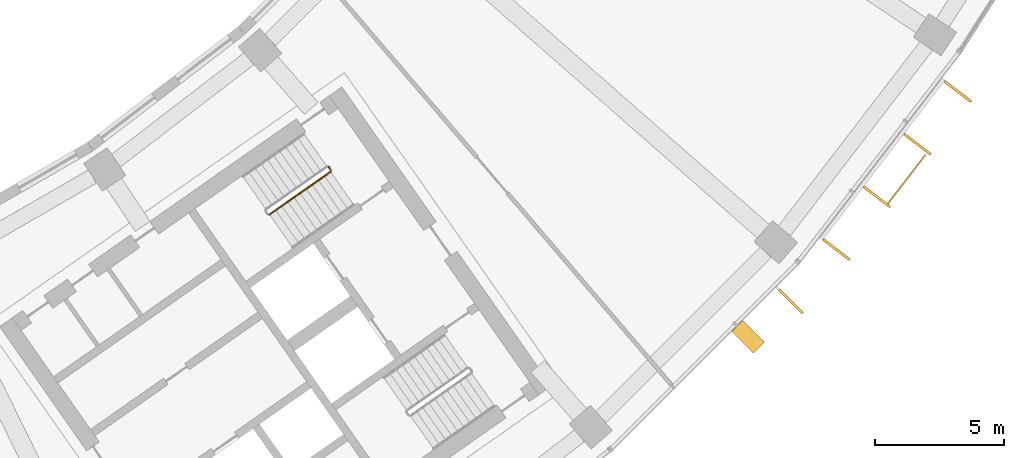
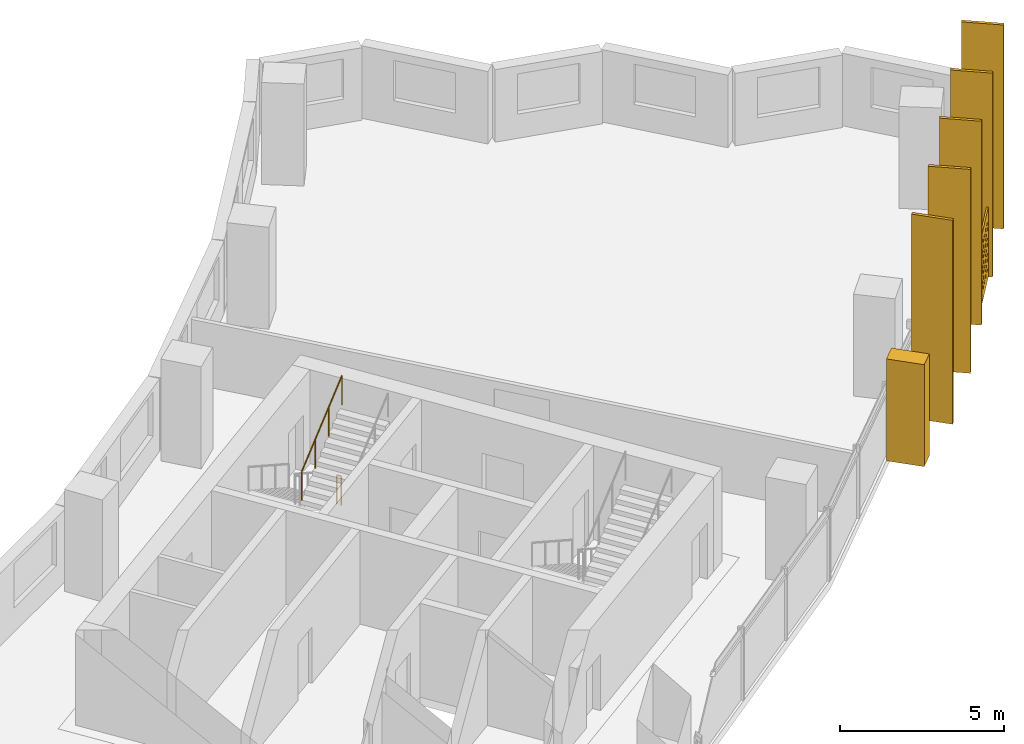
# One storey, part 27 of 27: 7 shading devices, 2 railings.
"""IFC4 building model written with IfcOpenShell, lengths in metres."""

from ifc_helpers import new_model, si_unit, direction, frame, origin, origin_2d, place, context, subcontext, project, spatial, polyline, rectangle, circle, outline, extrude, material, material_profile, profile_set, type_object, element, save


model = new_model("IFC4")

# Units and contexts
model_context = context("Model", 3, precision=1e-05, world=origin(), true_north=direction((0.0, 1.0)))
body_context = subcontext(model_context, "Body", "Model", "MODEL_VIEW")
ifc_project = project(units=[si_unit("LENGTHUNIT", "METRE"), si_unit("AREAUNIT", "SQUARE_METRE"), si_unit("VOLUMEUNIT", "CUBIC_METRE"), si_unit("PLANEANGLEUNIT", "RADIAN"), si_unit("MASSUNIT", "GRAM", prefix="KILO")], contexts=[model_context])

# Site, building, storey
site_placement = place(None, origin())
site = spatial("IfcSite", under=ifc_project, at=site_placement, CompositionType="ELEMENT")
building_placement = place(site_placement, origin())
building = spatial("IfcBuilding", under=site, at=building_placement, Name="Qamariyya Broadcast Tower", CompositionType="ELEMENT")
storey_placement = place(building_placement, frame((0.0, 0.0, 179.699951171875)))
storey = spatial("IfcBuildingStorey", under=building, at=storey_placement, Name="L42", CompositionType="ELEMENT", Elevation=179.699951171875)

# Shading devices
ifc_material_1 = material(Name="Steel S355 powder coated deep red", Category="steel")
shading_device_type_1 = type_object("IfcShadingDeviceType", Name="Deep red frame, powder coated steel box section", PredefinedType="USERDEFINED", material=ifc_material_1)
shading_device_1_placement = place(storey_placement, origin())
element("IfcShadingDevice", 1, at=shading_device_1_placement, inside=storey, type_object=shading_device_type_1, Name="e-frm-B3-F5-postb-L42", ObjectType="FRAME", PredefinedType="USERDEFINED", context=body_context, shape_type="SweptSolid", body=[
    extrude(outline(polyline([(56.74755859375, -54.736083984375), (57.595947265625, -55.584716796875), (58.020263671875, -55.160400390625), (57.171875, -54.311767578125), (56.74755859375, -54.736083984375)])), origin(), (0.0, 0.0, 1.0), 3.800048828125),
])
ifc_material_2 = material(Name="Perforated glazed terracotta", Category="masonry")
ifc_material_profile_1 = material_profile(ifc_material_2, outline(polyline([(-1.199951171875, -1.300048828125), (1.199951171875, -1.300048828125), (1.199951171875, 1.300048828125), (-1.199951171875, 1.300048828125), (-1.199951171875, -1.300048828125)]), holes=[polyline([(-0.81494140625, -0.86669921875), (-0.89990234375, -0.78173828125), (-0.985107421875, -0.86669921875), (-0.89990234375, -0.95166015625), (-0.81494140625, -0.86669921875)]), polyline([(-0.514892578125, -0.86669921875), (-0.60009765625, -0.78173828125), (-0.68505859375, -0.86669921875), (-0.60009765625, -0.95166015625), (-0.514892578125, -0.86669921875)]), polyline([(-0.215087890625, -0.86669921875), (-0.300048828125, -0.78173828125), (-0.385009765625, -0.86669921875), (-0.300048828125, -0.95166015625), (-0.215087890625, -0.86669921875)]), polyline([(0.0849609375, -0.86669921875), (0.0, -0.78173828125), (-0.0849609375, -0.86669921875), (0.0, -0.95166015625), (0.0849609375, -0.86669921875)]), polyline([(0.385009765625, -0.86669921875), (0.300048828125, -0.78173828125), (0.215087890625, -0.86669921875), (0.300048828125, -0.95166015625), (0.385009765625, -0.86669921875)]), polyline([(0.68505859375, -0.86669921875), (0.60009765625, -0.78173828125), (0.514892578125, -0.86669921875), (0.60009765625, -0.95166015625), (0.68505859375, -0.86669921875)]), polyline([(0.985107421875, -0.86669921875), (0.89990234375, -0.78173828125), (0.81494140625, -0.86669921875), (0.89990234375, -0.95166015625), (0.985107421875, -0.86669921875)]), polyline([(-0.965087890625, -0.577880859375), (-1.050048828125, -0.49267578125), (-1.135009765625, -0.577880859375), (-1.050048828125, -0.662841796875), (-0.965087890625, -0.577880859375)]), polyline([(-0.6650390625, -0.577880859375), (-0.75, -0.49267578125), (-0.8349609375, -0.577880859375), (-0.75, -0.662841796875), (-0.6650390625, -0.577880859375)]), polyline([(-0.364990234375, -0.577880859375), (-0.449951171875, -0.49267578125), (-0.534912109375, -0.577880859375), (-0.449951171875, -0.662841796875), (-0.364990234375, -0.577880859375)]), polyline([(-0.06494140625, -0.577880859375), (-0.14990234375, -0.49267578125), (-0.235107421875, -0.577880859375), (-0.14990234375, -0.662841796875), (-0.06494140625, -0.577880859375)]), polyline([(0.235107421875, -0.577880859375), (0.14990234375, -0.49267578125), (0.06494140625, -0.577880859375), (0.14990234375, -0.662841796875), (0.235107421875, -0.577880859375)]), polyline([(0.534912109375, -0.577880859375), (0.449951171875, -0.49267578125), (0.364990234375, -0.577880859375), (0.449951171875, -0.662841796875), (0.534912109375, -0.577880859375)]), polyline([(0.8349609375, -0.577880859375), (0.75, -0.49267578125), (0.6650390625, -0.577880859375), (0.75, -0.662841796875), (0.8349609375, -0.577880859375)]), polyline([(1.135009765625, -0.577880859375), (1.050048828125, -0.49267578125), (0.965087890625, -0.577880859375), (1.050048828125, -0.662841796875), (1.135009765625, -0.577880859375)]), polyline([(-0.81494140625, -0.288818359375), (-0.89990234375, -0.203857421875), (-0.985107421875, -0.288818359375), (-0.89990234375, -0.373779296875), (-0.81494140625, -0.288818359375)]), polyline([(-0.514892578125, -0.288818359375), (-0.60009765625, -0.203857421875), (-0.68505859375, -0.288818359375), (-0.60009765625, -0.373779296875), (-0.514892578125, -0.288818359375)]), polyline([(-0.215087890625, -0.288818359375), (-0.300048828125, -0.203857421875), (-0.385009765625, -0.288818359375), (-0.300048828125, -0.373779296875), (-0.215087890625, -0.288818359375)]), polyline([(0.0849609375, -0.288818359375), (0.0, -0.203857421875), (-0.0849609375, -0.288818359375), (0.0, -0.373779296875), (0.0849609375, -0.288818359375)]), polyline([(0.385009765625, -0.288818359375), (0.300048828125, -0.203857421875), (0.215087890625, -0.288818359375), (0.300048828125, -0.373779296875), (0.385009765625, -0.288818359375)]), polyline([(0.68505859375, -0.288818359375), (0.60009765625, -0.203857421875), (0.514892578125, -0.288818359375), (0.60009765625, -0.373779296875), (0.68505859375, -0.288818359375)]), polyline([(0.985107421875, -0.288818359375), (0.89990234375, -0.203857421875), (0.81494140625, -0.288818359375), (0.89990234375, -0.373779296875), (0.985107421875, -0.288818359375)]), polyline([(-0.965087890625, 0.0), (-1.050048828125, 0.0849609375), (-1.135009765625, 0.0), (-1.050048828125, -0.0849609375), (-0.965087890625, 0.0)]), polyline([(-0.6650390625, 0.0), (-0.75, 0.0849609375), (-0.8349609375, 0.0), (-0.75, -0.0849609375), (-0.6650390625, 0.0)]), polyline([(-0.364990234375, 0.0), (-0.449951171875, 0.0849609375), (-0.534912109375, 0.0), (-0.449951171875, -0.0849609375), (-0.364990234375, 0.0)]), polyline([(-0.06494140625, 0.0), (-0.14990234375, 0.0849609375), (-0.235107421875, 0.0), (-0.14990234375, -0.0849609375), (-0.06494140625, 0.0)]), polyline([(0.235107421875, 0.0), (0.14990234375, 0.0849609375), (0.06494140625, 0.0), (0.14990234375, -0.0849609375), (0.235107421875, 0.0)]), polyline([(0.534912109375, 0.0), (0.449951171875, 0.0849609375), (0.364990234375, 0.0), (0.449951171875, -0.0849609375), (0.534912109375, 0.0)]), polyline([(0.8349609375, 0.0), (0.75, 0.0849609375), (0.6650390625, 0.0), (0.75, -0.0849609375), (0.8349609375, 0.0)]), polyline([(1.135009765625, 0.0), (1.050048828125, 0.0849609375), (0.965087890625, 0.0), (1.050048828125, -0.0849609375), (1.135009765625, 0.0)]), polyline([(-0.81494140625, 0.288818359375), (-0.89990234375, 0.373779296875), (-0.985107421875, 0.288818359375), (-0.89990234375, 0.203857421875), (-0.81494140625, 0.288818359375)]), polyline([(-0.514892578125, 0.288818359375), (-0.60009765625, 0.373779296875), (-0.68505859375, 0.288818359375), (-0.60009765625, 0.203857421875), (-0.514892578125, 0.288818359375)]), polyline([(-0.215087890625, 0.288818359375), (-0.300048828125, 0.373779296875), (-0.385009765625, 0.288818359375), (-0.300048828125, 0.203857421875), (-0.215087890625, 0.288818359375)]), polyline([(0.0849609375, 0.288818359375), (0.0, 0.373779296875), (-0.0849609375, 0.288818359375), (0.0, 0.203857421875), (0.0849609375, 0.288818359375)]), polyline([(0.385009765625, 0.288818359375), (0.300048828125, 0.373779296875), (0.215087890625, 0.288818359375), (0.300048828125, 0.203857421875), (0.385009765625, 0.288818359375)]), polyline([(0.68505859375, 0.288818359375), (0.60009765625, 0.373779296875), (0.514892578125, 0.288818359375), (0.60009765625, 0.203857421875), (0.68505859375, 0.288818359375)]), polyline([(0.985107421875, 0.288818359375), (0.89990234375, 0.373779296875), (0.81494140625, 0.288818359375), (0.89990234375, 0.203857421875), (0.985107421875, 0.288818359375)]), polyline([(-0.965087890625, 0.577880859375), (-1.050048828125, 0.662841796875), (-1.135009765625, 0.577880859375), (-1.050048828125, 0.49267578125), (-0.965087890625, 0.577880859375)]), polyline([(-0.6650390625, 0.577880859375), (-0.75, 0.662841796875), (-0.8349609375, 0.577880859375), (-0.75, 0.49267578125), (-0.6650390625, 0.577880859375)]), polyline([(-0.364990234375, 0.577880859375), (-0.449951171875, 0.662841796875), (-0.534912109375, 0.577880859375), (-0.449951171875, 0.49267578125), (-0.364990234375, 0.577880859375)]), polyline([(-0.06494140625, 0.577880859375), (-0.14990234375, 0.662841796875), (-0.235107421875, 0.577880859375), (-0.14990234375, 0.49267578125), (-0.06494140625, 0.577880859375)]), polyline([(0.235107421875, 0.577880859375), (0.14990234375, 0.662841796875), (0.06494140625, 0.577880859375), (0.14990234375, 0.49267578125), (0.235107421875, 0.577880859375)]), polyline([(0.534912109375, 0.577880859375), (0.449951171875, 0.662841796875), (0.364990234375, 0.577880859375), (0.449951171875, 0.49267578125), (0.534912109375, 0.577880859375)]), polyline([(0.8349609375, 0.577880859375), (0.75, 0.662841796875), (0.6650390625, 0.577880859375), (0.75, 0.49267578125), (0.8349609375, 0.577880859375)]), polyline([(1.135009765625, 0.577880859375), (1.050048828125, 0.662841796875), (0.965087890625, 0.577880859375), (1.050048828125, 0.49267578125), (1.135009765625, 0.577880859375)]), polyline([(-0.81494140625, 0.86669921875), (-0.89990234375, 0.95166015625), (-0.985107421875, 0.86669921875), (-0.89990234375, 0.78173828125), (-0.81494140625, 0.86669921875)]), polyline([(-0.514892578125, 0.86669921875), (-0.60009765625, 0.95166015625), (-0.68505859375, 0.86669921875), (-0.60009765625, 0.78173828125), (-0.514892578125, 0.86669921875)]), polyline([(-0.215087890625, 0.86669921875), (-0.300048828125, 0.95166015625), (-0.385009765625, 0.86669921875), (-0.300048828125, 0.78173828125), (-0.215087890625, 0.86669921875)]), polyline([(0.0849609375, 0.86669921875), (0.0, 0.95166015625), (-0.0849609375, 0.86669921875), (0.0, 0.78173828125), (0.0849609375, 0.86669921875)]), polyline([(0.385009765625, 0.86669921875), (0.300048828125, 0.95166015625), (0.215087890625, 0.86669921875), (0.300048828125, 0.78173828125), (0.385009765625, 0.86669921875)]), polyline([(0.68505859375, 0.86669921875), (0.60009765625, 0.95166015625), (0.514892578125, 0.86669921875), (0.60009765625, 0.78173828125), (0.68505859375, 0.86669921875)]), polyline([(0.985107421875, 0.86669921875), (0.89990234375, 0.95166015625), (0.81494140625, 0.86669921875), (0.89990234375, 0.78173828125), (0.985107421875, 0.86669921875)])]))
ifc_profile_set_1 = profile_set([ifc_material_profile_1], Name="Perforated glazed terracotta")
shading_device_type_2 = type_object("IfcShadingDeviceType", Name="Perforated terracotta screen 2400 x 2600", PredefinedType="USERDEFINED", material=ifc_profile_set_1)
shading_device_2_placement = place(storey_placement, frame((63.52294921875, -48.79541015625, 1.35009765625), z_axis=(0.792623989105, -0.60971076085, 0.0), x_axis=(0.60971076085, 0.792623989105, 0.0)))
element("IfcShadingDevice", 2, at=shading_device_2_placement, inside=storey, type_object=shading_device_type_2, Name="e-scr-L42-14-1", ObjectType="SCREEN", PredefinedType="USERDEFINED", context=body_context, shape_type="SweptSolid", body=[
    extrude(outline(polyline([(-1.199951171875, -1.300048828125), (1.199951171875, -1.300048828125), (1.199951171875, 1.300048828125), (-1.199951171875, 1.300048828125), (-1.199951171875, -1.300048828125)]), holes=[polyline([(-0.81494140625, -0.86669921875), (-0.89990234375, -0.78173828125), (-0.985107421875, -0.86669921875), (-0.89990234375, -0.95166015625), (-0.81494140625, -0.86669921875)]), polyline([(-0.514892578125, -0.86669921875), (-0.60009765625, -0.78173828125), (-0.68505859375, -0.86669921875), (-0.60009765625, -0.95166015625), (-0.514892578125, -0.86669921875)]), polyline([(-0.215087890625, -0.86669921875), (-0.300048828125, -0.78173828125), (-0.385009765625, -0.86669921875), (-0.300048828125, -0.95166015625), (-0.215087890625, -0.86669921875)]), polyline([(0.0849609375, -0.86669921875), (0.0, -0.78173828125), (-0.0849609375, -0.86669921875), (0.0, -0.95166015625), (0.0849609375, -0.86669921875)]), polyline([(0.385009765625, -0.86669921875), (0.300048828125, -0.78173828125), (0.215087890625, -0.86669921875), (0.300048828125, -0.95166015625), (0.385009765625, -0.86669921875)]), polyline([(0.68505859375, -0.86669921875), (0.60009765625, -0.78173828125), (0.514892578125, -0.86669921875), (0.60009765625, -0.95166015625), (0.68505859375, -0.86669921875)]), polyline([(0.985107421875, -0.86669921875), (0.89990234375, -0.78173828125), (0.81494140625, -0.86669921875), (0.89990234375, -0.95166015625), (0.985107421875, -0.86669921875)]), polyline([(-0.965087890625, -0.577880859375), (-1.050048828125, -0.49267578125), (-1.135009765625, -0.577880859375), (-1.050048828125, -0.662841796875), (-0.965087890625, -0.577880859375)]), polyline([(-0.6650390625, -0.577880859375), (-0.75, -0.49267578125), (-0.8349609375, -0.577880859375), (-0.75, -0.662841796875), (-0.6650390625, -0.577880859375)]), polyline([(-0.364990234375, -0.577880859375), (-0.449951171875, -0.49267578125), (-0.534912109375, -0.577880859375), (-0.449951171875, -0.662841796875), (-0.364990234375, -0.577880859375)]), polyline([(-0.06494140625, -0.577880859375), (-0.14990234375, -0.49267578125), (-0.235107421875, -0.577880859375), (-0.14990234375, -0.662841796875), (-0.06494140625, -0.577880859375)]), polyline([(0.235107421875, -0.577880859375), (0.14990234375, -0.49267578125), (0.06494140625, -0.577880859375), (0.14990234375, -0.662841796875), (0.235107421875, -0.577880859375)]), polyline([(0.534912109375, -0.577880859375), (0.449951171875, -0.49267578125), (0.364990234375, -0.577880859375), (0.449951171875, -0.662841796875), (0.534912109375, -0.577880859375)]), polyline([(0.8349609375, -0.577880859375), (0.75, -0.49267578125), (0.6650390625, -0.577880859375), (0.75, -0.662841796875), (0.8349609375, -0.577880859375)]), polyline([(1.135009765625, -0.577880859375), (1.050048828125, -0.49267578125), (0.965087890625, -0.577880859375), (1.050048828125, -0.662841796875), (1.135009765625, -0.577880859375)]), polyline([(-0.81494140625, -0.288818359375), (-0.89990234375, -0.203857421875), (-0.985107421875, -0.288818359375), (-0.89990234375, -0.373779296875), (-0.81494140625, -0.288818359375)]), polyline([(-0.514892578125, -0.288818359375), (-0.60009765625, -0.203857421875), (-0.68505859375, -0.288818359375), (-0.60009765625, -0.373779296875), (-0.514892578125, -0.288818359375)]), polyline([(-0.215087890625, -0.288818359375), (-0.300048828125, -0.203857421875), (-0.385009765625, -0.288818359375), (-0.300048828125, -0.373779296875), (-0.215087890625, -0.288818359375)]), polyline([(0.0849609375, -0.288818359375), (0.0, -0.203857421875), (-0.0849609375, -0.288818359375), (0.0, -0.373779296875), (0.0849609375, -0.288818359375)]), polyline([(0.385009765625, -0.288818359375), (0.300048828125, -0.203857421875), (0.215087890625, -0.288818359375), (0.300048828125, -0.373779296875), (0.385009765625, -0.288818359375)]), polyline([(0.68505859375, -0.288818359375), (0.60009765625, -0.203857421875), (0.514892578125, -0.288818359375), (0.60009765625, -0.373779296875), (0.68505859375, -0.288818359375)]), polyline([(0.985107421875, -0.288818359375), (0.89990234375, -0.203857421875), (0.81494140625, -0.288818359375), (0.89990234375, -0.373779296875), (0.985107421875, -0.288818359375)]), polyline([(-0.965087890625, 0.0), (-1.050048828125, 0.0849609375), (-1.135009765625, 0.0), (-1.050048828125, -0.0849609375), (-0.965087890625, 0.0)]), polyline([(-0.6650390625, 0.0), (-0.75, 0.0849609375), (-0.8349609375, 0.0), (-0.75, -0.0849609375), (-0.6650390625, 0.0)]), polyline([(-0.364990234375, 0.0), (-0.449951171875, 0.0849609375), (-0.534912109375, 0.0), (-0.449951171875, -0.0849609375), (-0.364990234375, 0.0)]), polyline([(-0.06494140625, 0.0), (-0.14990234375, 0.0849609375), (-0.235107421875, 0.0), (-0.14990234375, -0.0849609375), (-0.06494140625, 0.0)]), polyline([(0.235107421875, 0.0), (0.14990234375, 0.0849609375), (0.06494140625, 0.0), (0.14990234375, -0.0849609375), (0.235107421875, 0.0)]), polyline([(0.534912109375, 0.0), (0.449951171875, 0.0849609375), (0.364990234375, 0.0), (0.449951171875, -0.0849609375), (0.534912109375, 0.0)]), polyline([(0.8349609375, 0.0), (0.75, 0.0849609375), (0.6650390625, 0.0), (0.75, -0.0849609375), (0.8349609375, 0.0)]), polyline([(1.135009765625, 0.0), (1.050048828125, 0.0849609375), (0.965087890625, 0.0), (1.050048828125, -0.0849609375), (1.135009765625, 0.0)]), polyline([(-0.81494140625, 0.288818359375), (-0.89990234375, 0.373779296875), (-0.985107421875, 0.288818359375), (-0.89990234375, 0.203857421875), (-0.81494140625, 0.288818359375)]), polyline([(-0.514892578125, 0.288818359375), (-0.60009765625, 0.373779296875), (-0.68505859375, 0.288818359375), (-0.60009765625, 0.203857421875), (-0.514892578125, 0.288818359375)]), polyline([(-0.215087890625, 0.288818359375), (-0.300048828125, 0.373779296875), (-0.385009765625, 0.288818359375), (-0.300048828125, 0.203857421875), (-0.215087890625, 0.288818359375)]), polyline([(0.0849609375, 0.288818359375), (0.0, 0.373779296875), (-0.0849609375, 0.288818359375), (0.0, 0.203857421875), (0.0849609375, 0.288818359375)]), polyline([(0.385009765625, 0.288818359375), (0.300048828125, 0.373779296875), (0.215087890625, 0.288818359375), (0.300048828125, 0.203857421875), (0.385009765625, 0.288818359375)]), polyline([(0.68505859375, 0.288818359375), (0.60009765625, 0.373779296875), (0.514892578125, 0.288818359375), (0.60009765625, 0.203857421875), (0.68505859375, 0.288818359375)]), polyline([(0.985107421875, 0.288818359375), (0.89990234375, 0.373779296875), (0.81494140625, 0.288818359375), (0.89990234375, 0.203857421875), (0.985107421875, 0.288818359375)]), polyline([(-0.965087890625, 0.577880859375), (-1.050048828125, 0.662841796875), (-1.135009765625, 0.577880859375), (-1.050048828125, 0.49267578125), (-0.965087890625, 0.577880859375)]), polyline([(-0.6650390625, 0.577880859375), (-0.75, 0.662841796875), (-0.8349609375, 0.577880859375), (-0.75, 0.49267578125), (-0.6650390625, 0.577880859375)]), polyline([(-0.364990234375, 0.577880859375), (-0.449951171875, 0.662841796875), (-0.534912109375, 0.577880859375), (-0.449951171875, 0.49267578125), (-0.364990234375, 0.577880859375)]), polyline([(-0.06494140625, 0.577880859375), (-0.14990234375, 0.662841796875), (-0.235107421875, 0.577880859375), (-0.14990234375, 0.49267578125), (-0.06494140625, 0.577880859375)]), polyline([(0.235107421875, 0.577880859375), (0.14990234375, 0.662841796875), (0.06494140625, 0.577880859375), (0.14990234375, 0.49267578125), (0.235107421875, 0.577880859375)]), polyline([(0.534912109375, 0.577880859375), (0.449951171875, 0.662841796875), (0.364990234375, 0.577880859375), (0.449951171875, 0.49267578125), (0.534912109375, 0.577880859375)]), polyline([(0.8349609375, 0.577880859375), (0.75, 0.662841796875), (0.6650390625, 0.577880859375), (0.75, 0.49267578125), (0.8349609375, 0.577880859375)]), polyline([(1.135009765625, 0.577880859375), (1.050048828125, 0.662841796875), (0.965087890625, 0.577880859375), (1.050048828125, 0.49267578125), (1.135009765625, 0.577880859375)]), polyline([(-0.81494140625, 0.86669921875), (-0.89990234375, 0.95166015625), (-0.985107421875, 0.86669921875), (-0.89990234375, 0.78173828125), (-0.81494140625, 0.86669921875)]), polyline([(-0.514892578125, 0.86669921875), (-0.60009765625, 0.95166015625), (-0.68505859375, 0.86669921875), (-0.60009765625, 0.78173828125), (-0.514892578125, 0.86669921875)]), polyline([(-0.215087890625, 0.86669921875), (-0.300048828125, 0.95166015625), (-0.385009765625, 0.86669921875), (-0.300048828125, 0.78173828125), (-0.215087890625, 0.86669921875)]), polyline([(0.0849609375, 0.86669921875), (0.0, 0.95166015625), (-0.0849609375, 0.86669921875), (0.0, 0.78173828125), (0.0849609375, 0.86669921875)]), polyline([(0.385009765625, 0.86669921875), (0.300048828125, 0.95166015625), (0.215087890625, 0.86669921875), (0.300048828125, 0.78173828125), (0.385009765625, 0.86669921875)]), polyline([(0.68505859375, 0.86669921875), (0.60009765625, 0.95166015625), (0.514892578125, 0.86669921875), (0.60009765625, 0.78173828125), (0.68505859375, 0.86669921875)]), polyline([(0.985107421875, 0.86669921875), (0.89990234375, 0.95166015625), (0.81494140625, 0.86669921875), (0.89990234375, 0.78173828125), (0.985107421875, 0.86669921875)])]), origin(), (0.0, 0.0, 1.0), 0.06005859375),
])

# Railings
ifc_material_3 = material(Name="Painted steel", Category="steel")
railing_type = type_object("IfcRailingType", Name="Stair guard", PredefinedType="GUARDRAIL", material=ifc_material_3)
railing_1_placement = place(storey_placement, frame((38.771240234375, -50.188232421875, 2.07275390625)))
element("IfcRailing", 3, at=railing_1_placement, inside=storey, type_object=railing_type, Name="L42 ST-E2 stair guard 2", PredefinedType="GUARDRAIL", context=body_context, shape_type="SweptSolid", body=[
    extrude(circle(Radius=0.02392578125, at=origin_2d()), frame((0.0, 0.0, 1.076171875), z_axis=(0.703770094002, 0.492783725636, 0.511734163933), x_axis=(-0.573575343427, 0.819152809562, 0.0)), (0.0, 0.0, 1.0), 3.37548828125),
    extrude(circle(Radius=0.02099609375, at=origin_2d()), origin(), (0.0, 0.0, 1.0), 1.052001953125),
    extrude(circle(Radius=0.02099609375, at=origin_2d()), frame((0.791748046875, 0.554443359375, 0.57568359375)), (0.0, 0.0, 1.0), 1.052001953125),
    extrude(circle(Radius=0.02099609375, at=origin_2d()), frame((1.583740234375, 1.10888671875, 1.151611328125)), (0.0, 0.0, 1.0), 1.052001953125),
    extrude(circle(Radius=0.02099609375, at=origin_2d()), frame((2.37548828125, 1.663330078125, 1.727294921875)), (0.0, 0.0, 1.0), 1.052001953125),
])
railing_2_placement = place(storey_placement, frame((41.072998046875, -48.332275390625, 0.0)))
element("IfcRailing", 4, at=railing_2_placement, inside=storey, type_object=railing_type, Name="L42 ST-E2 stair guard 3", PredefinedType="GUARDRAIL", context=body_context, shape_type="SweptSolid", body=[
    extrude(circle(Radius=0.02392578125, at=origin_2d()), frame((0.0, 0.0, 1.076171875), z_axis=(0.572588637393, -0.819842821722, 0.0), x_axis=(0.819842821722, 0.572588637393, 0.0)), (0.0, 0.0, 1.0), 0.150146484375),
    extrude(circle(Radius=0.02099609375, at=origin_2d()), origin(), (0.0, 0.0, 1.0), 1.052001953125),
    extrude(circle(Radius=0.02099609375, at=origin_2d()), frame((0.0859375, -0.123046875, 0.0)), (0.0, 0.0, 1.0), 1.052001953125),
])

# Shading devices
ifc_material_4 = material(Name="Glazed terracotta", Category="masonry")
ifc_material_profile_2 = material_profile(ifc_material_4, rectangle(XDim=1.300048828125, YDim=0.10009765625, at=origin_2d()))
ifc_profile_set_2 = profile_set([ifc_material_profile_2], Name="Glazed terracotta")
shading_device_type_3 = type_object("IfcShadingDeviceType", Name="Terracotta fin 100 x 1300", PredefinedType="USERDEFINED", material=ifc_profile_set_2)
for number, where, z_axis, x_axis, name in (
    (5, (59.047607421875, -53.5673828125, 0.0), (0.0, 0.0, 1.0), (0.707106781187, -0.707106781187, 0.0), "e-fin-L42-13-3"),
    (6, (60.81640625, -51.550537109375, 0.0), (0.0, 0.0, 1.0), (0.793353340291, -0.608761429009, 0.0), "e-fin-L42-14-0"),
    (7, (62.38916015625, -49.5009765625, 0.0), (0.0, 0.0, 1.0), (0.793353340291, -0.608761429009, 0.0), "e-fin-L42-14-1"),
    (8, (63.961669921875, -47.451416015625, 0.0), (0.0, 0.0, 1.0), (0.793353340291, -0.608761429009, 0.0), "e-fin-L42-14-2"),
    (9, (65.534423828125, -45.40185546875, 0.0), (0.0, 0.0, 1.0), (0.793353340291, -0.608761429009, 0.0), "e-fin-L42-14-3"),
):
    element("IfcShadingDevice", number, at=place(storey_placement, frame(where, z_axis=z_axis, x_axis=x_axis)), inside=storey, type_object=shading_device_type_3, Name=name, ObjectType="FIN", PredefinedType="USERDEFINED", context=body_context, shape_type="SweptSolid", body=[
        extrude(rectangle(XDim=1.300048828125, YDim=0.10009765625, at=origin_2d()), origin(), (0.0, 0.0, 1.0), 7.60009765625),
    ])

save(model, "model.ifc")
